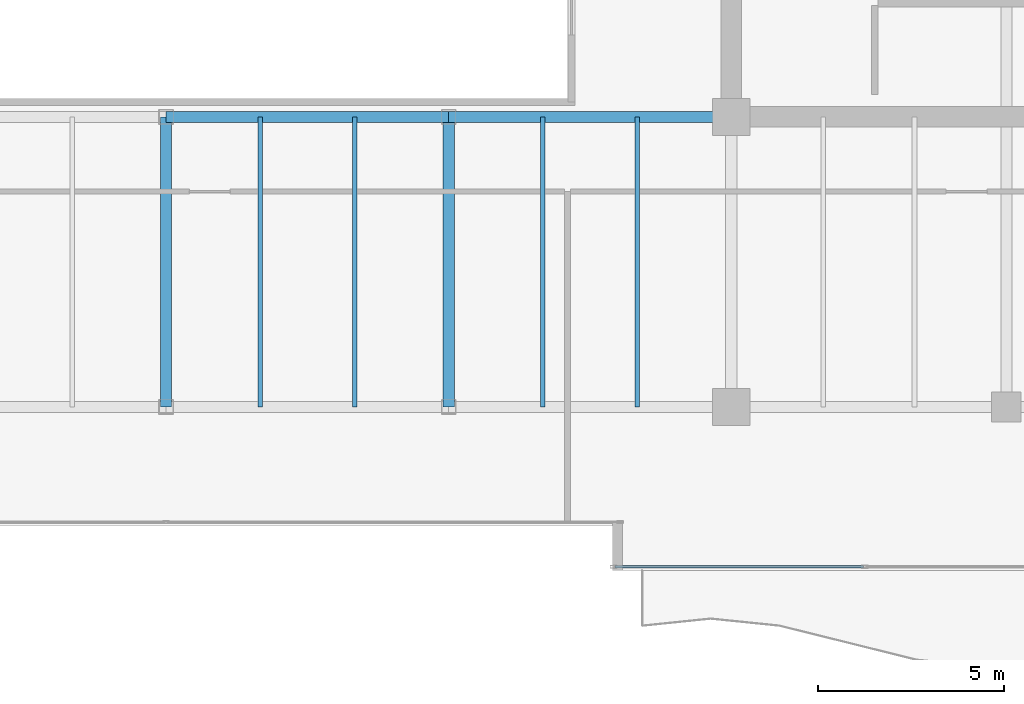
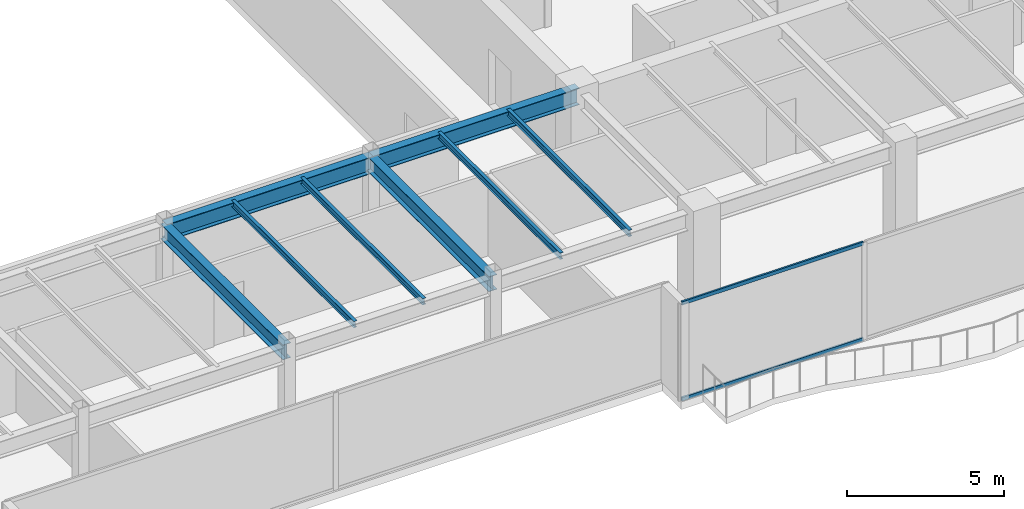
# One storey, part 11 of 34: 8 beams, 2 members, 1 element without a shape of its own.
"""IFC4 building model written with IfcOpenShell, lengths in metres."""

from ifc_helpers import new_model, si_unit, direction, frame, origin, origin_2d, place, context, subcontext, project, spatial, hollow_rectangle, i_section, extrude, source, transform, mapped, material, layer, layer_set, material_profile, profile_set, type_object, type_shapes, element, aggregate, save


model = new_model("IFC4")

# Units and contexts
model_context = context("Model", 3, precision=1e-05, world=origin(), true_north=direction((0.0, 1.0)))
body_context = subcontext(model_context, "Body", "Model", "MODEL_VIEW")
ifc_project = project(units=[si_unit("LENGTHUNIT", "METRE"), si_unit("AREAUNIT", "SQUARE_METRE"), si_unit("VOLUMEUNIT", "CUBIC_METRE"), si_unit("PLANEANGLEUNIT", "RADIAN"), si_unit("MASSUNIT", "GRAM", prefix="KILO")], contexts=[model_context])

# Site, building, storey
site_placement = place(None, origin())
site = spatial("IfcSite", under=ifc_project, at=site_placement, CompositionType="ELEMENT")
building_placement = place(site_placement, origin())
building = spatial("IfcBuilding", under=site, at=building_placement, Name="Haelvirn Gate Laboratories", CompositionType="ELEMENT")
storey_placement = place(building_placement, frame((0.0, 0.0, 246.5)))
storey = spatial("IfcBuildingStorey", under=building, at=storey_placement, Name="L59", CompositionType="ELEMENT", Elevation=246.5)

# Beams
ifc_material_1 = material(Name="Steel SM355", Category="steel")
ifc_material_profile_1 = material_profile(ifc_material_1, i_section(OverallWidth=0.300048828125, OverallDepth=0.587890625, WebThickness=0.011962890625, FlangeThickness=0.02001953125, at=origin_2d()), Name="H-588x300x12x20")
ifc_profile_set_1 = profile_set([ifc_material_profile_1], Name="Steel SM355")
beam_type_1 = type_object("IfcBeamType", Name="BM-G-588", PredefinedType="BEAM", material=ifc_profile_set_1)
shared_shape_1 = source(origin(), body_context, "Body", "SweptSolid", [
    extrude(i_section(OverallWidth=0.300048828125, OverallDepth=0.587890625, WebThickness=0.011962890625, FlangeThickness=0.02001953125, at=origin_2d()), origin(), (0.0, 0.0, 1.0), 7.800048828125),
])
type_shapes(beam_type_1, [shared_shape_1])
for number, where, z_axis, x_axis, name in (
    (1, (37.39990234375, 7.0, 3.506103515625), (0.0, 1.0, 0.0), (-1.0, 0.0, 0.0), "L59 Frame Girder X37.4 (7.0-14.8)"),
    (2, (45.0, 7.0, 3.506103515625), (0.0, 1.0, 0.0), (-1.0, 0.0, 0.0), "L59 Frame Girder X45.0 (7.0-14.8)"),
):
    element("IfcBeam", number, at=place(storey_placement, frame(where, z_axis=z_axis, x_axis=x_axis)), inside=storey, type_object=beam_type_1, Name=name, PredefinedType="BEAM", context=body_context, shape_type="MappedRepresentation", body=[
        mapped(shared_shape_1, transform((0.0, 0.0, 0.0), scale=1.0)),
    ])
ifc_material_profile_2 = material_profile(ifc_material_1, i_section(OverallWidth=0.300048828125, OverallDepth=0.64990234375, WebThickness=0.012939453125, FlangeThickness=0.02197265625, at=origin_2d()), Name="H-650x300x13x22")
ifc_profile_set_2 = profile_set([ifc_material_profile_2], Name="Steel SM355")
beam_type_2 = type_object("IfcBeamType", Name="BM-G-650", PredefinedType="BEAM", material=ifc_profile_set_2)
shared_shape_2 = source(origin(), body_context, "Body", "SweptSolid", [
    extrude(i_section(OverallWidth=0.300048828125, OverallDepth=0.64990234375, WebThickness=0.012939453125, FlangeThickness=0.02197265625, at=origin_2d()), origin(), (0.0, 0.0, 1.0), 7.60009765625),
])
type_shapes(beam_type_2, [shared_shape_2])
for number, where, z_axis, x_axis, name in (
    (3, (37.39990234375, 14.800048828125, 3.47509765625), (1.0, 0.0, 0.0), (0.0, 1.0, 0.0), "L59 Primary Girder Y14.8 (37.4-45.0)"),
    (4, (45.0, 14.800048828125, 3.47509765625), (1.0, 0.0, 0.0), (0.0, 1.0, 0.0), "L59 Primary Girder Y14.8 (45.0-52.6)"),
):
    element("IfcBeam", number, at=place(storey_placement, frame(where, z_axis=z_axis, x_axis=x_axis)), inside=storey, type_object=beam_type_2, Name=name, PredefinedType="BEAM", context=body_context, shape_type="MappedRepresentation", body=[
        mapped(shared_shape_2, transform((0.0, 0.0, 0.0), scale=1.0)),
    ])
ifc_material_profile_3 = material_profile(ifc_material_1, i_section(OverallWidth=0.125, OverallDepth=0.25, WebThickness=0.006103515625, FlangeThickness=0.009033203125, at=origin_2d()), Name="H-250x125x6x9")
ifc_profile_set_3 = profile_set([ifc_material_profile_3], Name="Steel SM355")
beam_type_3 = type_object("IfcBeamType", Name="BM-J-250", PredefinedType="JOIST", material=ifc_profile_set_3)
shared_shape_3 = source(origin(), body_context, "Body", "SweptSolid", [
    extrude(i_section(OverallWidth=0.125, OverallDepth=0.25, WebThickness=0.006103515625, FlangeThickness=0.009033203125, at=origin_2d()), origin(), (0.0, 0.0, 1.0), 7.800048828125),
])
type_shapes(beam_type_3, [shared_shape_3])
for number, where, z_axis, x_axis, name in (
    (5, (39.929931640625, 7.0, 3.675048828125), (0.0, 1.0, 0.0), (-1.0, 0.0, 0.0), "L59 Composite Lab Joist South X39.93"),
    (6, (42.469970703125, 7.0, 3.675048828125), (0.0, 1.0, 0.0), (-1.0, 0.0, 0.0), "L59 Composite Lab Joist South X42.47"),
    (7, (47.530029296875, 7.0, 3.675048828125), (0.0, 1.0, 0.0), (-1.0, 0.0, 0.0), "L59 Composite Lab Joist South X47.53"),
    (8, (50.070068359375, 7.0, 3.675048828125), (0.0, 1.0, 0.0), (-1.0, 0.0, 0.0), "L59 Composite Lab Joist South X50.07"),
):
    element("IfcBeam", number, at=place(storey_placement, frame(where, z_axis=z_axis, x_axis=x_axis)), inside=storey, type_object=beam_type_3, Name=name, PredefinedType="JOIST", context=body_context, shape_type="MappedRepresentation", body=[
        mapped(shared_shape_3, transform((0.0, 0.0, 0.0), scale=1.0)),
    ])

# Curtain wall, members
ifc_material_2 = material(Name="Anodised bronze unitised aluminium & triple low-E glass", Category="aluminium")
ifc_layer = layer(ifc_material_2, 0.176025390625, Name="CW-SYS-4")
ifc_layer_set = layer_set([ifc_layer], Name="Anodised bronze unitised aluminium & triple low-E glass")
curtain_wall_type = type_object("IfcCurtainWallType", Name="CW-SYS-4", PredefinedType="NOTDEFINED", material=ifc_layer_set)
curtain_wall_placement = place(storey_placement, origin())
curtain_wall = element("IfcCurtainWall", 9, at=curtain_wall_placement, inside=storey, type_object=curtain_wall_type, Name="L59 Unitised Curtain Wall CW-L59-P0-E04-1", PredefinedType="NOTDEFINED")
ifc_material_3 = material(Name="Extruded aluminium 6063-T6 (anodised bronze)", Category="aluminium")
ifc_material_profile_4 = material_profile(ifc_material_3, hollow_rectangle(XDim=0.06494140625, YDim=0.139892578125, WallThickness=0.00390625, at=origin_2d()), Name="CWT-140x65x4")
ifc_profile_set_4 = profile_set([ifc_material_profile_4], Name="Extruded aluminium 6063-T6 (anodised bronze)")
member_type = type_object("IfcMemberType", Name="CWT-T140", PredefinedType="USERDEFINED", material=ifc_profile_set_4)
shared_shape_4 = source(origin(), body_context, "Body", "SweptSolid", [
    extrude(hollow_rectangle(XDim=0.06494140625, YDim=0.139892578125, WallThickness=0.00390625, at=origin_2d()), origin(), (0.0, 0.0, 1.0), 6.68505859375),
])
type_shapes(member_type, [shared_shape_4])
member_1_placement = place(storey_placement, frame((49.469970703125, 2.699951171875, 0.032470703125), z_axis=(1.0, 0.0, 0.0), x_axis=(0.0, 1.0, 0.0)))
member_1 = element("IfcMember", 10, at=member_1_placement, type_object=member_type, Name="CW4 transom 1.1", ObjectType="TRANSOM", PredefinedType="USERDEFINED", context=body_context, shape_type="MappedRepresentation", body=[
    mapped(shared_shape_4, transform((0.0, 0.0, 0.0), scale=1.0)),
])
member_2_placement = place(storey_placement, frame((49.469970703125, 2.699951171875, 3.767578125), z_axis=(1.0, 0.0, 0.0), x_axis=(0.0, 1.0, 0.0)))
member_2 = element("IfcMember", 11, at=member_2_placement, type_object=member_type, Name="CW4 transom 1.2", ObjectType="TRANSOM", PredefinedType="USERDEFINED", context=body_context, shape_type="MappedRepresentation", body=[
    mapped(shared_shape_4, transform((0.0, 0.0, 0.0), scale=1.0)),
])
aggregate(curtain_wall, [member_1, member_2])

save(model, "model.ifc")
